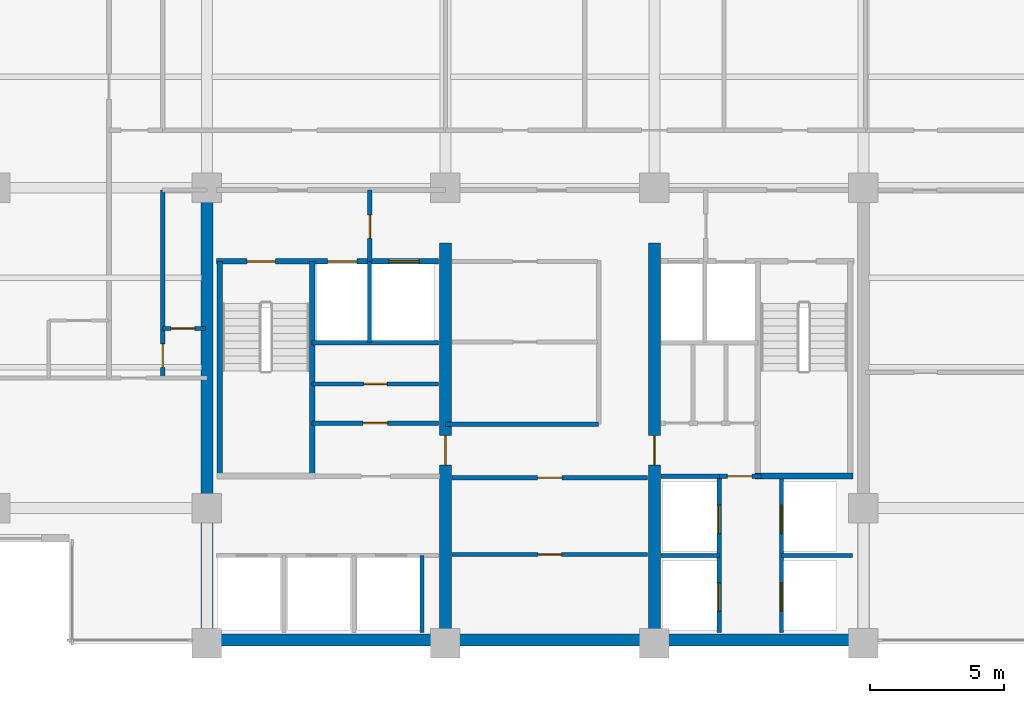
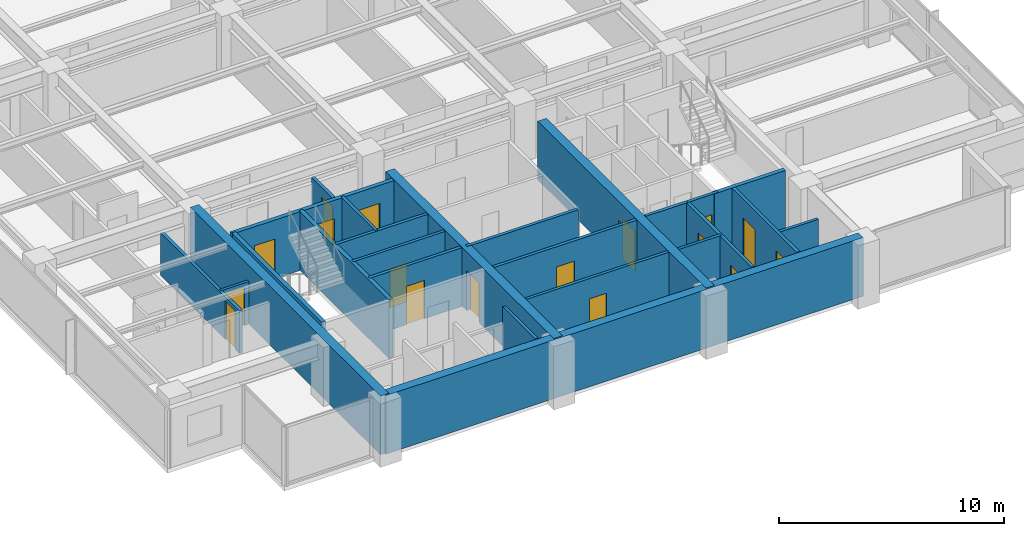
# One storey, part 7 of 14: 25 walls, 17 doors, 17 openings.
"""IFC4 building model written with IfcOpenShell, lengths in metres."""

from ifc_helpers import new_model, si_unit, direction, frame, frame_2d, origin, place, context, subcontext, project, spatial, rectangle, extrude, material, layer, layer_set, type_object, element, fill, save


model = new_model("IFC4")

# Units and contexts
model_context = context("Model", 3, precision=1e-05, world=origin(), true_north=direction((0.0, 1.0)))
body_context = subcontext(model_context, "Body", "Model", "MODEL_VIEW")
ifc_project = project(units=[si_unit("LENGTHUNIT", "METRE"), si_unit("AREAUNIT", "SQUARE_METRE"), si_unit("VOLUMEUNIT", "CUBIC_METRE"), si_unit("PLANEANGLEUNIT", "RADIAN"), si_unit("MASSUNIT", "GRAM", prefix="KILO")], contexts=[model_context])

# Site, building, storey
site_placement = place(None, origin())
site = spatial("IfcSite", under=ifc_project, at=site_placement, CompositionType="ELEMENT")
building_placement = place(site_placement, origin())
building = spatial("IfcBuilding", under=site, at=building_placement, Name="Qalmaran Belvedere Hotel", CompositionType="ELEMENT")
storey_placement = place(building_placement, frame((0.0, 0.0, 180.60009765625)))
storey = spatial("IfcBuildingStorey", under=building, at=storey_placement, Name="L46", CompositionType="ELEMENT", Elevation=180.60009765625)

# Wall
ifc_material_1 = material(Name="Concrete C50/60", Category="concrete")
ifc_layer_1 = layer(ifc_material_1, 0.449951171875, Name="Concrete C50/60")
ifc_layer_set_1 = layer_set([ifc_layer_1], Name="Concrete C50/60")
wall_type_1 = type_object("IfcWallType", Name="WL-CORE-450-C50", PredefinedType="SHEAR", material=ifc_layer_set_1)
wall_1_placement = place(storey_placement, frame((20.300048828125, 3.5, 0.0), z_axis=(0.0, 0.0, 1.0), x_axis=(0.0, 1.0, 0.0)))
element("IfcWall", 1, at=wall_1_placement, inside=storey, type_object=wall_type_1, Name="L46 West Core Shear Wall", PredefinedType="SHEAR", context=body_context, shape_type="SweptSolid", body=[
    extrude(rectangle(XDim=16.89990234375, YDim=0.449951171875, at=frame_2d((8.449951171875, 0.0))), origin(), (0.0, 0.0, 1.0), 3.179931640625),
])

# Wall, opening, door
wall_2_placement = place(storey_placement, frame((29.199951171875, 3.5, 0.0), z_axis=(0.0, 0.0, 1.0), x_axis=(0.0, 1.0, 0.0)))
wall_2 = element("IfcWall", 2, at=wall_2_placement, inside=storey, type_object=wall_type_1, Name="L46 Core West Spine Shear Wall", PredefinedType="SHEAR", context=body_context, shape_type="SweptSolid", body=[
    extrude(rectangle(XDim=14.949951171875, YDim=0.449951171875, at=frame_2d((7.47509765625, 0.0))), origin(), (0.0, 0.0, 1.0), 3.179931640625),
])
opening_1_placement = place(wall_2_placement, frame((7.75, 0.0, 0.0), z_axis=(0.0, 0.0, 1.0), x_axis=(-1.0, 0.0, 0.0)))
opening_1 = element("IfcOpeningElement", 3, at=opening_1_placement, cuts=wall_2, Name="Opening FD90", PredefinedType="OPENING", context=body_context, shape_type="SweptSolid", body=[
    extrude(rectangle(XDim=1.10009765625, YDim=2.14990234375, at=frame_2d((0.550048828125, 1.074951171875))), frame((0.0, 0.23486328125, 0.0), z_axis=(0.0, -1.0, 0.0), x_axis=(1.0, 0.0, 0.0)), (0.0, 0.0, 1.0), 0.469970703125),
])
ifc_material_2 = material(Name="Steel S355JR", Category="steel")
door_type_1 = type_object("IfcDoorType", Name="DR-FD90-1100X2150", OperationType="NOTDEFINED", PredefinedType="DOOR", material=ifc_material_2)
door_1_placement = place(opening_1_placement, origin())
door_1 = element("IfcDoor", 4, at=door_1_placement, inside=storey, type_object=door_type_1, Name="L46 Core West Cross-Lobby Door", OperationType="SINGLE_SWING_LEFT", OverallHeight=2.14990234375, OverallWidth=1.10009765625, PredefinedType="DOOR", context=body_context, shape_type="SweptSolid", body=[
    extrude(rectangle(XDim=1.10009765625, YDim=2.14990234375, at=frame_2d((0.550048828125, 1.074951171875))), frame((0.0, 0.02490234375, 0.0), z_axis=(0.0, -1.0, 0.0), x_axis=(1.0, 0.0, 0.0)), (0.0, 0.0, 1.0), 0.050048828125),
])
fill(opening_1, door_1)

wall_3_placement = place(storey_placement, frame((37.0, 3.5, 0.0), z_axis=(0.0, 0.0, 1.0), x_axis=(0.0, 1.0, 0.0)))
wall_3 = element("IfcWall", 5, at=wall_3_placement, inside=storey, type_object=wall_type_1, Name="L46 Core East Spine Shear Wall", PredefinedType="SHEAR", context=body_context, shape_type="SweptSolid", body=[
    extrude(rectangle(XDim=14.949951171875, YDim=0.449951171875, at=frame_2d((7.47509765625, 0.0))), origin(), (0.0, 0.0, 1.0), 3.179931640625),
])
opening_2_placement = place(wall_3_placement, frame((6.64990234375, 0.0, 0.0)))
opening_2 = element("IfcOpeningElement", 6, at=opening_2_placement, cuts=wall_3, Name="Opening FD90", PredefinedType="OPENING", context=body_context, shape_type="SweptSolid", body=[
    extrude(rectangle(XDim=1.10009765625, YDim=2.14990234375, at=frame_2d((0.550048828125, 1.074951171875))), frame((0.0, 0.23486328125, 0.0), z_axis=(0.0, -1.0, 0.0), x_axis=(1.0, 0.0, 0.0)), (0.0, 0.0, 1.0), 0.469970703125),
])
door_2_placement = place(opening_2_placement, origin())
door_2 = element("IfcDoor", 7, at=door_2_placement, inside=storey, type_object=door_type_1, Name="L46 Core East Cross-Lobby Door", OperationType="SINGLE_SWING_RIGHT", OverallHeight=2.14990234375, OverallWidth=1.10009765625, PredefinedType="DOOR", context=body_context, shape_type="SweptSolid", body=[
    extrude(rectangle(XDim=1.10009765625, YDim=2.14990234375, at=frame_2d((0.550048828125, 1.074951171875))), frame((0.0, 0.02490234375, 0.0), z_axis=(0.0, -1.0, 0.0), x_axis=(1.0, 0.0, 0.0)), (0.0, 0.0, 1.0), 0.050048828125),
])
fill(opening_2, door_2)

# Wall
ifc_layer_2 = layer(ifc_material_1, 0.43994140625, Name="Concrete C50/60")
ifc_layer_set_2 = layer_set([ifc_layer_2], Name="Concrete C50/60")
wall_type_2 = type_object("IfcWallType", Name="WL-CORES-440-EXT", PredefinedType="SHEAR", material=ifc_layer_set_2)
wall_4_placement = place(storey_placement, frame((20.300048828125, 3.6298828125, 0.0), z_axis=(0.0, 0.0, 1.0), x_axis=(1.0, 0.0, 0.0)))
element("IfcWall", 8, at=wall_4_placement, inside=storey, type_object=wall_type_2, Name="L46 South Core Shear Wall", PredefinedType="SHEAR", context=body_context, shape_type="SweptSolid", body=[
    extrude(rectangle(XDim=24.5, YDim=0.43994140625, at=frame_2d((12.25, 0.0))), origin(), (0.0, 0.0, 1.0), 3.179931640625),
])

# Wall, opening, door
ifc_material_3 = material(Name="Gypsum Stud Partition")
ifc_layer_3 = layer(ifc_material_3, 0.139892578125, Name="Gypsum Stud Partition")
ifc_layer_set_3 = layer_set([ifc_layer_3], Name="Gypsum Stud Partition")
wall_type_3 = type_object("IfcWallType", Name="WL-INT-140-NR", PredefinedType="PARTITIONING", material=ifc_layer_set_3)
wall_5_placement = place(storey_placement, frame((18.64990234375, 15.25, 0.0), z_axis=(0.0, 0.0, 1.0), x_axis=(1.0, 0.0, 0.0)))
wall_5 = element("IfcWall", 9, at=wall_5_placement, inside=storey, type_object=wall_type_3, Name="L46 Partition WL-L46-WCLSUB", PredefinedType="PARTITIONING", context=body_context, shape_type="SweptSolid", body=[
    extrude(rectangle(XDim=1.60009765625, YDim=0.139892578125, at=frame_2d((0.800048828125, 0.0))), origin(), (0.0, 0.0, 1.0), 2.309814453125),
])
opening_3_placement = place(wall_5_placement, frame((1.193115234375, 0.0, 0.0), z_axis=(0.0, 0.0, 1.0), x_axis=(-1.0, 0.0, 0.0)))
opening_3 = element("IfcOpeningElement", 10, at=opening_3_placement, cuts=wall_5, Name="Opening D-BATH", PredefinedType="OPENING", context=body_context, shape_type="SweptSolid", body=[
    extrude(rectangle(XDim=0.8798828125, YDim=2.080078125, at=frame_2d((0.43994140625, 1.0400390625))), frame((0.0, 0.080078125, 0.0), z_axis=(0.0, -1.0, 0.0), x_axis=(1.0, 0.0, 0.0)), (0.0, 0.0, 1.0), 0.159912109375),
])
ifc_material_4 = material(Name="Engineered Oak Veneer")
door_type_2 = type_object("IfcDoorType", Name="DR-INT-BATH-880X2080", OperationType="NOTDEFINED", PredefinedType="DOOR", material=ifc_material_4)
door_3_placement = place(opening_3_placement, origin())
door_3 = element("IfcDoor", 11, at=door_3_placement, inside=storey, type_object=door_type_2, Name="L46 Closet Alcove Door", OperationType="SINGLE_SWING_LEFT", OverallHeight=2.080078125, OverallWidth=0.8798828125, PredefinedType="DOOR", context=body_context, shape_type="SweptSolid", body=[
    extrude(rectangle(XDim=0.8798828125, YDim=2.080078125, at=frame_2d((0.43994140625, 1.0400390625))), frame((0.0, 0.02490234375, 0.0), z_axis=(0.0, -1.0, 0.0), x_axis=(1.0, 0.0, 0.0)), (0.0, 0.0, 1.0), 0.050048828125),
])
fill(opening_3, door_3)

# Walls
ifc_layer_4 = layer(ifc_material_3, 0.14990234375, Name="Gypsum Stud Partition")
ifc_layer_set_4 = layer_set([ifc_layer_4], Name="Gypsum Stud Partition")
wall_type_4 = type_object("IfcWallType", Name="WL-INT-150-EI120", PredefinedType="PARTITIONING", material=ifc_layer_set_4)
wall_6_placement = place(storey_placement, frame((26.360107421875, 14.719970703125, 0.0), z_axis=(0.0, 0.0, 1.0), x_axis=(0.0, 1.0, 0.0)))
element("IfcWall", 12, at=wall_6_placement, inside=storey, type_object=wall_type_4, Name="L46 Partition WL-FF1M-L46", PredefinedType="PARTITIONING", context=body_context, shape_type="SweptSolid", body=[
    extrude(rectangle(XDim=3.0400390625, YDim=0.14990234375, at=frame_2d((1.52001953125, 0.0))), origin(), (0.0, 0.0, 1.0), 3.179931640625),
])
wall_7_placement = place(storey_placement, frame((28.320068359375, 3.89990234375, 0.0), z_axis=(0.0, 0.0, 1.0), x_axis=(0.0, 1.0, 0.0)))
element("IfcWall", 13, at=wall_7_placement, inside=storey, type_object=wall_type_4, Name="L46 Partition WL-POM3-L46", PredefinedType="PARTITIONING", context=body_context, shape_type="SweptSolid", body=[
    extrude(rectangle(XDim=2.880126953125, YDim=0.14990234375, at=frame_2d((1.43994140625, 0.0))), origin(), (0.0, 0.0, 1.0), 3.179931640625),
])
wall_8_placement = place(storey_placement, frame((37.25, 6.780029296875, 0.0), z_axis=(0.0, 0.0, 1.0), x_axis=(1.0, 0.0, 0.0)))
element("IfcWall", 14, at=wall_8_placement, inside=storey, type_object=wall_type_4, Name="L46 Partition WL-PHMW-L46", PredefinedType="PARTITIONING", context=body_context, shape_type="SweptSolid", body=[
    extrude(rectangle(XDim=2.169921875, YDim=0.14990234375, at=frame_2d((1.0849609375, 0.0))), origin(), (0.0, 0.0, 1.0), 3.179931640625),
])
wall_9_placement = place(storey_placement, frame((41.739990234375, 6.780029296875, 0.0), z_axis=(0.0, 0.0, 1.0), x_axis=(1.0, 0.0, 0.0)))
element("IfcWall", 15, at=wall_9_placement, inside=storey, type_object=wall_type_4, Name="L46 Partition WL-PHME-L46", PredefinedType="PARTITIONING", context=body_context, shape_type="SweptSolid", body=[
    extrude(rectangle(XDim=2.659912109375, YDim=0.14990234375, at=frame_2d((1.330078125, 0.0))), origin(), (0.0, 0.0, 1.0), 2.309814453125),
])

# Wall, opening, door
ifc_layer_5 = layer(ifc_material_3, 0.14990234375, Name="Gypsum Stud Partition")
ifc_layer_set_5 = layer_set([ifc_layer_5], Name="Gypsum Stud Partition")
wall_type_5 = type_object("IfcWallType", Name="WL-INT-150-EI60", PredefinedType="PARTITIONING", material=ifc_layer_set_5)
wall_10_placement = place(storey_placement, frame((24.219970703125, 13.18505859375, 0.0), z_axis=(0.0, 0.0, 1.0), x_axis=(1.0, 0.0, 0.0)))
wall_10 = element("IfcWall", 16, at=wall_10_placement, inside=storey, type_object=wall_type_5, Name="L46 Partition WL-L46-KWHM", PredefinedType="PARTITIONING", context=body_context, shape_type="SweptSolid", body=[
    extrude(rectangle(XDim=4.72998046875, YDim=0.14990234375, at=frame_2d((2.364990234375, 0.0))), origin(), (0.0, 0.0, 1.0), 3.179931640625),
])
opening_4_placement = place(wall_10_placement, frame((1.925048828125, 0.0, 0.0)))
opening_4 = element("IfcOpeningElement", 17, at=opening_4_placement, cuts=wall_10, Name="Opening FD60B", PredefinedType="OPENING", context=body_context, shape_type="SweptSolid", body=[
    extrude(rectangle(XDim=0.8798828125, YDim=2.080078125, at=frame_2d((0.43994140625, 1.0400390625))), frame((0.0, 0.0849609375, 0.0), z_axis=(0.0, -1.0, 0.0), x_axis=(1.0, 0.0, 0.0)), (0.0, 0.0, 1.0), 0.169921875),
])
door_type_3 = type_object("IfcDoorType", Name="DR-FD60B-880X2080", OperationType="NOTDEFINED", PredefinedType="DOOR", material=ifc_material_2)
door_4_placement = place(opening_4_placement, origin())
door_4 = element("IfcDoor", 18, at=door_4_placement, inside=storey, type_object=door_type_3, Name="L46 Staff Core WC Door", OperationType="SINGLE_SWING_LEFT", OverallHeight=2.080078125, OverallWidth=0.8798828125, PredefinedType="DOOR", context=body_context, shape_type="SweptSolid", body=[
    extrude(rectangle(XDim=0.8798828125, YDim=2.080078125, at=frame_2d((0.43994140625, 1.0400390625))), frame((0.0, 0.02490234375, 0.0), z_axis=(0.0, -1.0, 0.0), x_axis=(1.0, 0.0, 0.0)), (0.0, 0.0, 1.0), 0.050048828125),
])
fill(opening_4, door_4)

wall_11_placement = place(storey_placement, frame((29.449951171875, 6.81494140625, 0.0), z_axis=(0.0, 0.0, 1.0), x_axis=(1.0, 0.0, 0.0)))
wall_11 = element("IfcWall", 19, at=wall_11_placement, inside=storey, type_object=wall_type_5, Name="L46 Partition WL-L46-KPLHM", PredefinedType="PARTITIONING", context=body_context, shape_type="SweptSolid", body=[
    extrude(rectangle(XDim=7.300048828125, YDim=0.14990234375, at=frame_2d((3.64990234375, 0.0))), origin(), (0.0, 0.0, 1.0), 3.179931640625),
])
opening_5_placement = place(wall_11_placement, frame((4.08984375, 0.0, 0.0), z_axis=(0.0, 0.0, 1.0), x_axis=(-1.0, 0.0, 0.0)))
opening_5 = element("IfcOpeningElement", 20, at=opening_5_placement, cuts=wall_11, Name="Opening FD60B", PredefinedType="OPENING", context=body_context, shape_type="SweptSolid", body=[
    extrude(rectangle(XDim=0.8798828125, YDim=2.080078125, at=frame_2d((0.43994140625, 1.0400390625))), frame((0.0, 0.0849609375, 0.0), z_axis=(0.0, -1.0, 0.0), x_axis=(1.0, 0.0, 0.0)), (0.0, 0.0, 1.0), 0.169921875),
])
door_5_placement = place(opening_5_placement, origin())
door_5 = element("IfcDoor", 21, at=door_5_placement, inside=storey, type_object=door_type_3, Name="L46 Housekeeping and Linen Room Door", OperationType="SINGLE_SWING_RIGHT", OverallHeight=2.080078125, OverallWidth=0.8798828125, PredefinedType="DOOR", context=body_context, shape_type="SweptSolid", body=[
    extrude(rectangle(XDim=0.8798828125, YDim=2.080078125, at=frame_2d((0.43994140625, 1.0400390625))), frame((0.0, 0.02490234375, 0.0), z_axis=(0.0, -1.0, 0.0), x_axis=(1.0, 0.0, 0.0)), (0.0, 0.0, 1.0), 0.050048828125),
])
fill(opening_5, door_5)

ifc_layer_6 = layer(ifc_material_3, 0.159912109375, Name="Gypsum Stud Partition")
ifc_layer_set_6 = layer_set([ifc_layer_6], Name="Gypsum Stud Partition")
wall_type_6 = type_object("IfcWallType", Name="WL-INT-160-EI120", PredefinedType="PARTITIONING", material=ifc_layer_set_6)
wall_12_placement = place(storey_placement, frame((26.3798828125, 17.760009765625, 0.0), z_axis=(0.0, 0.0, 1.0), x_axis=(0.0, 1.0, 0.0)))
wall_12 = element("IfcWall", 22, at=wall_12_placement, inside=storey, type_object=wall_type_6, Name="L46 Partition WL-FFSV1-L46", PredefinedType="PARTITIONING", context=body_context, shape_type="SweptSolid", body=[
    extrude(rectangle(XDim=2.659912109375, YDim=0.159912109375, at=frame_2d((1.330078125, 0.0))), origin(), (0.0, 0.0, 1.0), 2.621826171875),
])
opening_6_placement = place(wall_12_placement, frame((0.85009765625, 0.0, 0.0)))
opening_6 = element("IfcOpeningElement", 23, at=opening_6_placement, cuts=wall_12, Name="Opening FD60B", PredefinedType="OPENING", context=body_context, shape_type="SweptSolid", body=[
    extrude(rectangle(XDim=0.8798828125, YDim=2.080078125, at=frame_2d((0.43994140625, 1.0400390625))), frame((0.0, 0.08984375, 0.0), z_axis=(0.0, -1.0, 0.0), x_axis=(1.0, 0.0, 0.0)), (0.0, 0.0, 1.0), 0.179931640625),
])
door_6_placement = place(opening_6_placement, origin())
door_6 = element("IfcDoor", 24, at=door_6_placement, inside=storey, type_object=door_type_3, Name="L46 Service Lobby West Door", OperationType="SINGLE_SWING_LEFT", OverallHeight=2.080078125, OverallWidth=0.8798828125, PredefinedType="DOOR", context=body_context, shape_type="SweptSolid", body=[
    extrude(rectangle(XDim=0.8798828125, YDim=2.080078125, at=frame_2d((0.43994140625, 1.0400390625))), frame((0.0, 0.02490234375, 0.0), z_axis=(0.0, -1.0, 0.0), x_axis=(1.0, 0.0, 0.0)), (0.0, 0.0, 1.0), 0.050048828125),
])
fill(opening_6, door_6)

# Wall
wall_13_placement = place(storey_placement, frame((24.219970703125, 14.719970703125, 0.0), z_axis=(0.0, 0.0, 1.0), x_axis=(1.0, 0.0, 0.0)))
element("IfcWall", 25, at=wall_13_placement, inside=storey, type_object=wall_type_6, Name="L46 Partition WL-FF1S-L46", PredefinedType="PARTITIONING", context=body_context, shape_type="SweptSolid", body=[
    extrude(rectangle(XDim=4.72998046875, YDim=0.159912109375, at=frame_2d((2.364990234375, 0.0))), origin(), (0.0, 0.0, 1.0), 3.179931640625),
])

# Wall, openings, doors
wall_14_placement = place(storey_placement, frame((39.419921875, 3.89990234375, 0.0), z_axis=(0.0, 0.0, 1.0), x_axis=(0.0, 1.0, 0.0)))
wall_14 = element("IfcWall", 26, at=wall_14_placement, inside=storey, type_object=wall_type_6, Name="L46 Partition WL-PHW-L46", PredefinedType="PARTITIONING", context=body_context, shape_type="SweptSolid", body=[
    extrude(rectangle(XDim=5.840087890625, YDim=0.159912109375, at=frame_2d((2.919921875, 0.0))), origin(), (0.0, 0.0, 1.0), 3.179931640625),
])
opening_7_placement = place(wall_14_placement, frame((1.860107421875, 0.0, 0.0), z_axis=(0.0, 0.0, 1.0), x_axis=(-1.0, 0.0, 0.0)))
opening_7 = element("IfcOpeningElement", 27, at=opening_7_placement, cuts=wall_14, Name="Opening LD-P2", PredefinedType="OPENING", context=body_context, shape_type="SweptSolid", body=[
    extrude(rectangle(XDim=1.06005859375, YDim=2.159912109375, at=frame_2d((0.530029296875, 1.080078125))), frame((0.0, 0.08984375, 0.0), z_axis=(0.0, -1.0, 0.0), x_axis=(1.0, 0.0, 0.0)), (0.0, 0.0, 1.0), 0.179931640625),
])
opening_8_placement = place(wall_14_placement, frame((4.760009765625, 0.0, 0.0), z_axis=(0.0, 0.0, 1.0), x_axis=(-1.0, 0.0, 0.0)))
opening_8 = element("IfcOpeningElement", 28, at=opening_8_placement, cuts=wall_14, Name="Opening LD-P2", PredefinedType="OPENING", context=body_context, shape_type="SweptSolid", body=[
    extrude(rectangle(XDim=1.06005859375, YDim=2.159912109375, at=frame_2d((0.530029296875, 1.080078125))), frame((0.0, 0.08984375, 0.0), z_axis=(0.0, -1.0, 0.0), x_axis=(1.0, 0.0, 0.0)), (0.0, 0.0, 1.0), 0.179931640625),
])
ifc_material_5 = material(Name="Stainless Steel 1.4401", Category="steel")
door_type_4 = type_object("IfcDoorType", Name="DR-LIFT-P2-1060X2160", OperationType="DOUBLE_DOOR_SLIDING", PredefinedType="DOOR", material=ifc_material_5)
door_7_placement = place(opening_7_placement, origin())
door_7 = element("IfcDoor", 29, at=door_7_placement, inside=storey, type_object=door_type_4, Name="L46 PH1 Lift Landing Door", OperationType="DOUBLE_DOOR_SLIDING", OverallHeight=2.159912109375, OverallWidth=1.06005859375, PredefinedType="DOOR", context=body_context, shape_type="SweptSolid", body=[
    extrude(rectangle(XDim=1.06005859375, YDim=2.159912109375, at=frame_2d((0.530029296875, 1.080078125))), frame((0.0, 0.02490234375, 0.0), z_axis=(0.0, -1.0, 0.0), x_axis=(1.0, 0.0, 0.0)), (0.0, 0.0, 1.0), 0.050048828125),
])
fill(opening_7, door_7)
door_8_placement = place(opening_8_placement, origin())
door_8 = element("IfcDoor", 30, at=door_8_placement, inside=storey, type_object=door_type_4, Name="L46 PH2 Lift Landing Door", OperationType="DOUBLE_DOOR_SLIDING", OverallHeight=2.159912109375, OverallWidth=1.06005859375, PredefinedType="DOOR", context=body_context, shape_type="SweptSolid", body=[
    extrude(rectangle(XDim=1.06005859375, YDim=2.159912109375, at=frame_2d((0.530029296875, 1.080078125))), frame((0.0, 0.02490234375, 0.0), z_axis=(0.0, -1.0, 0.0), x_axis=(1.0, 0.0, 0.0)), (0.0, 0.0, 1.0), 0.050048828125),
])
fill(opening_8, door_8)

wall_15_placement = place(storey_placement, frame((41.739990234375, 3.89990234375, 0.0), z_axis=(0.0, 0.0, 1.0), x_axis=(0.0, 1.0, 0.0)))
wall_15 = element("IfcWall", 31, at=wall_15_placement, inside=storey, type_object=wall_type_6, Name="L46 Partition WL-PHE-L46", PredefinedType="PARTITIONING", context=body_context, shape_type="SweptSolid", body=[
    extrude(rectangle(XDim=5.840087890625, YDim=0.159912109375, at=frame_2d((2.919921875, 0.0))), origin(), (0.0, 0.0, 1.0), 3.179931640625),
])
opening_9_placement = place(wall_15_placement, frame((0.800048828125, 0.0, 0.0)))
opening_9 = element("IfcOpeningElement", 32, at=opening_9_placement, cuts=wall_15, Name="Opening LD-P2", PredefinedType="OPENING", context=body_context, shape_type="SweptSolid", body=[
    extrude(rectangle(XDim=1.06005859375, YDim=2.159912109375, at=frame_2d((0.530029296875, 1.080078125))), frame((0.0, 0.08984375, 0.0), z_axis=(0.0, -1.0, 0.0), x_axis=(1.0, 0.0, 0.0)), (0.0, 0.0, 1.0), 0.179931640625),
])
opening_10_placement = place(wall_15_placement, frame((3.699951171875, 0.0, 0.0)))
opening_10 = element("IfcOpeningElement", 33, at=opening_10_placement, cuts=wall_15, Name="Opening LD-P2", PredefinedType="OPENING", context=body_context, shape_type="SweptSolid", body=[
    extrude(rectangle(XDim=1.06005859375, YDim=2.159912109375, at=frame_2d((0.530029296875, 1.080078125))), frame((0.0, 0.08984375, 0.0), z_axis=(0.0, -1.0, 0.0), x_axis=(1.0, 0.0, 0.0)), (0.0, 0.0, 1.0), 0.179931640625),
])
door_9_placement = place(opening_9_placement, origin())
door_9 = element("IfcDoor", 34, at=door_9_placement, inside=storey, type_object=door_type_4, Name="L46 PH3 Lift Landing Door", OperationType="DOUBLE_DOOR_SLIDING", OverallHeight=2.159912109375, OverallWidth=1.06005859375, PredefinedType="DOOR", context=body_context, shape_type="SweptSolid", body=[
    extrude(rectangle(XDim=1.06005859375, YDim=2.159912109375, at=frame_2d((0.530029296875, 1.080078125))), frame((0.0, 0.02490234375, 0.0), z_axis=(0.0, -1.0, 0.0), x_axis=(1.0, 0.0, 0.0)), (0.0, 0.0, 1.0), 0.050048828125),
])
fill(opening_9, door_9)
door_10_placement = place(opening_10_placement, origin())
door_10 = element("IfcDoor", 35, at=door_10_placement, inside=storey, type_object=door_type_4, Name="L46 PH4 Lift Landing Door", OperationType="DOUBLE_DOOR_SLIDING", OverallHeight=2.159912109375, OverallWidth=1.06005859375, PredefinedType="DOOR", context=body_context, shape_type="SweptSolid", body=[
    extrude(rectangle(XDim=1.06005859375, YDim=2.159912109375, at=frame_2d((0.530029296875, 1.080078125))), frame((0.0, 0.02490234375, 0.0), z_axis=(0.0, -1.0, 0.0), x_axis=(1.0, 0.0, 0.0)), (0.0, 0.0, 1.0), 0.050048828125),
])
fill(opening_10, door_10)

# Wall
wall_16_placement = place(storey_placement, frame((37.25, 9.739990234375, 0.0), z_axis=(0.0, 0.0, 1.0), x_axis=(1.0, 0.0, 0.0)))
element("IfcWall", 36, at=wall_16_placement, inside=storey, type_object=wall_type_6, Name="L46 Partition WL-PHNW-L46", PredefinedType="PARTITIONING", context=body_context, shape_type="SweptSolid", body=[
    extrude(rectangle(XDim=2.169921875, YDim=0.159912109375, at=frame_2d((1.0849609375, 0.0))), origin(), (0.0, 0.0, 1.0), 3.179931640625),
])

# Wall, opening, door
wall_17_placement = place(storey_placement, frame((39.419921875, 9.739990234375, 0.0), z_axis=(0.0, 0.0, 1.0), x_axis=(1.0, 0.0, 0.0)))
wall_17 = element("IfcWall", 37, at=wall_17_placement, inside=storey, type_object=wall_type_6, Name="L46 Partition WL-PHNL-L46", PredefinedType="PARTITIONING", context=body_context, shape_type="SweptSolid", body=[
    extrude(rectangle(XDim=1.56005859375, YDim=0.159912109375, at=frame_2d((0.780029296875, 0.0))), origin(), (0.0, 0.0, 1.0), 3.179931640625),
])
opening_11_placement = place(wall_17_placement, frame((0.300048828125, 0.0, 0.0)))
opening_11 = element("IfcOpeningElement", 38, at=opening_11_placement, cuts=wall_17, Name="Opening FD60S1", PredefinedType="OPENING", context=body_context, shape_type="SweptSolid", body=[
    extrude(rectangle(XDim=0.919921875, YDim=2.080078125, at=frame_2d((0.4599609375, 1.0400390625))), frame((0.0, 0.08984375, 0.0), z_axis=(0.0, -1.0, 0.0), x_axis=(1.0, 0.0, 0.0)), (0.0, 0.0, 1.0), 0.179931640625),
])
door_type_5 = type_object("IfcDoorType", Name="DR-FD60S-920X2080", OperationType="NOTDEFINED", PredefinedType="DOOR", material=ifc_material_4)
door_11_placement = place(opening_11_placement, origin())
door_11 = element("IfcDoor", 39, at=door_11_placement, inside=storey, type_object=door_type_5, Name="L46 High-Rise Lift Lobby Passage Door", OperationType="SINGLE_SWING_RIGHT", OverallHeight=2.080078125, OverallWidth=0.919921875, PredefinedType="DOOR", context=body_context, shape_type="SweptSolid", body=[
    extrude(rectangle(XDim=0.919921875, YDim=2.080078125, at=frame_2d((0.4599609375, 1.0400390625))), frame((0.0, 0.02490234375, 0.0), z_axis=(0.0, -1.0, 0.0), x_axis=(1.0, 0.0, 0.0)), (0.0, 0.0, 1.0), 0.050048828125),
])
fill(opening_11, door_11)

ifc_layer_7 = layer(ifc_material_3, 0.159912109375, Name="Gypsum Stud Partition")
ifc_layer_set_7 = layer_set([ifc_layer_7], Name="Gypsum Stud Partition")
wall_type_7 = type_object("IfcWallType", Name="WL-INT-160-EI60", PredefinedType="PARTITIONING", material=ifc_layer_set_7)
wall_18_placement = place(storey_placement, frame((24.219970703125, 11.719970703125, 0.0), z_axis=(0.0, 0.0, 1.0), x_axis=(1.0, 0.0, 0.0)))
wall_18 = element("IfcWall", 40, at=wall_18_placement, inside=storey, type_object=wall_type_7, Name="L46 Partition WL-L46-KWE1", PredefinedType="PARTITIONING", context=body_context, shape_type="SweptSolid", body=[
    extrude(rectangle(XDim=4.72998046875, YDim=0.159912109375, at=frame_2d((2.364990234375, 0.0))), origin(), (0.0, 0.0, 1.0), 3.179931640625),
])
opening_12_placement = place(wall_18_placement, frame((1.905029296875, 0.0, 0.0)))
opening_12 = element("IfcOpeningElement", 41, at=opening_12_placement, cuts=wall_18, Name="Opening FD60S1", PredefinedType="OPENING", context=body_context, shape_type="SweptSolid", body=[
    extrude(rectangle(XDim=0.919921875, YDim=2.080078125, at=frame_2d((0.4599609375, 1.0400390625))), frame((0.0, 0.08984375, 0.0), z_axis=(0.0, -1.0, 0.0), x_axis=(1.0, 0.0, 0.0)), (0.0, 0.0, 1.0), 0.179931640625),
])
door_12_placement = place(opening_12_placement, origin())
door_12 = element("IfcDoor", 42, at=door_12_placement, inside=storey, type_object=door_type_5, Name="L46 Cleaner Supply Store Door", OperationType="SINGLE_SWING_RIGHT", OverallHeight=2.080078125, OverallWidth=0.919921875, PredefinedType="DOOR", context=body_context, shape_type="SweptSolid", body=[
    extrude(rectangle(XDim=0.919921875, YDim=2.080078125, at=frame_2d((0.4599609375, 1.0400390625))), frame((0.0, 0.02490234375, 0.0), z_axis=(0.0, -1.0, 0.0), x_axis=(1.0, 0.0, 0.0)), (0.0, 0.0, 1.0), 0.050048828125),
])
fill(opening_12, door_12)

wall_19_placement = place(storey_placement, frame((29.449951171875, 9.679931640625, 0.0), z_axis=(0.0, 0.0, 1.0), x_axis=(1.0, 0.0, 0.0)))
wall_19 = element("IfcWall", 43, at=wall_19_placement, inside=storey, type_object=wall_type_7, Name="L46 Partition WL-L46-KPLE1", PredefinedType="PARTITIONING", context=body_context, shape_type="SweptSolid", body=[
    extrude(rectangle(XDim=7.300048828125, YDim=0.159912109375, at=frame_2d((3.64990234375, 0.0))), origin(), (0.0, 0.0, 1.0), 3.179931640625),
])
opening_13_placement = place(wall_19_placement, frame((4.10986328125, 0.0, 0.0), z_axis=(0.0, 0.0, 1.0), x_axis=(-1.0, 0.0, 0.0)))
opening_13 = element("IfcOpeningElement", 44, at=opening_13_placement, cuts=wall_19, Name="Opening FD60S1", PredefinedType="OPENING", context=body_context, shape_type="SweptSolid", body=[
    extrude(rectangle(XDim=0.919921875, YDim=2.080078125, at=frame_2d((0.4599609375, 1.0400390625))), frame((0.0, 0.08984375, 0.0), z_axis=(0.0, -1.0, 0.0), x_axis=(1.0, 0.0, 0.0)), (0.0, 0.0, 1.0), 0.179931640625),
])
door_13_placement = place(opening_13_placement, origin())
door_13 = element("IfcDoor", 45, at=door_13_placement, inside=storey, type_object=door_type_5, Name="L46 Guest Valet Supply Store Door", OperationType="SINGLE_SWING_LEFT", OverallHeight=2.080078125, OverallWidth=0.919921875, PredefinedType="DOOR", context=body_context, shape_type="SweptSolid", body=[
    extrude(rectangle(XDim=0.919921875, YDim=2.080078125, at=frame_2d((0.4599609375, 1.0400390625))), frame((0.0, 0.02490234375, 0.0), z_axis=(0.0, -1.0, 0.0), x_axis=(1.0, 0.0, 0.0)), (0.0, 0.0, 1.0), 0.050048828125),
])
fill(opening_13, door_13)

# Wall
wall_20_placement = place(storey_placement, frame((29.199951171875, 11.679931640625, 0.0), z_axis=(0.0, 0.0, 1.0), x_axis=(1.0, 0.0, 0.0)))
element("IfcWall", 46, at=wall_20_placement, inside=storey, type_object=wall_type_7, Name="L46 Partition WL-PMFS-L46", PredefinedType="PARTITIONING", context=body_context, shape_type="SweptSolid", body=[
    extrude(rectangle(XDim=5.719970703125, YDim=0.159912109375, at=frame_2d((2.85986328125, 0.0))), origin(), (0.0, 0.0, 1.0), 3.179931640625),
])

# Wall, opening, door
wall_21_placement = place(storey_placement, frame((18.64990234375, 13.39990234375, 0.0), z_axis=(0.0, 0.0, 1.0), x_axis=(0.0, 1.0, 0.0)))
wall_21 = element("IfcWall", 47, at=wall_21_placement, inside=storey, type_object=wall_type_7, Name="L46 Partition WL-L46-WCL", PredefinedType="PARTITIONING", context=body_context, shape_type="SweptSolid", body=[
    extrude(rectangle(XDim=7.02001953125, YDim=0.159912109375, at=frame_2d((3.510009765625, 0.0))), origin(), (0.0, 0.0, 1.0), 2.309814453125),
])
opening_14_placement = place(wall_21_placement, frame((1.27978515625, 0.0, 0.0), z_axis=(0.0, 0.0, 1.0), x_axis=(-1.0, 0.0, 0.0)))
opening_14 = element("IfcOpeningElement", 48, at=opening_14_placement, cuts=wall_21, Name="Opening FD60B", PredefinedType="OPENING", context=body_context, shape_type="SweptSolid", body=[
    extrude(rectangle(XDim=0.8798828125, YDim=2.080078125, at=frame_2d((0.43994140625, 1.0400390625))), frame((0.0, 0.08984375, 0.0), z_axis=(0.0, -1.0, 0.0), x_axis=(1.0, 0.0, 0.0)), (0.0, 0.0, 1.0), 0.179931640625),
])
door_14_placement = place(opening_14_placement, origin())
door_14 = element("IfcDoor", 49, at=door_14_placement, inside=storey, type_object=door_type_3, Name="L46 West Closet Door", OperationType="SINGLE_SWING_LEFT", OverallHeight=2.080078125, OverallWidth=0.8798828125, PredefinedType="DOOR", context=body_context, shape_type="SweptSolid", body=[
    extrude(rectangle(XDim=0.8798828125, YDim=2.080078125, at=frame_2d((0.43994140625, 1.0400390625))), frame((0.0, 0.02490234375, 0.0), z_axis=(0.0, -1.0, 0.0), x_axis=(1.0, 0.0, 0.0)), (0.0, 0.0, 1.0), 0.050048828125),
])
fill(opening_14, door_14)

# Walls
ifc_layer_8 = layer(ifc_material_1, 0.2099609375, Name="Concrete C50/60")
ifc_layer_set_8 = layer_set([ifc_layer_8], Name="Concrete C50/60")
wall_type_8 = type_object("IfcWallType", Name="WL-STAIR-210-C50", PredefinedType="SHEAR", material=ifc_layer_set_8)
for number, where, z_axis, x_axis, name in (
    (50, (20.77490234375, 9.7451171875, 0.0), (0.0, 0.0, 1.0), (0.0, 1.0, 0.0), "L46 Stair ST-1 West Bearing Wall"),
    (51, (24.22509765625, 9.7451171875, 0.0), (0.0, 0.0, 1.0), (0.0, 1.0, 0.0), "L46 Stair ST-1 East Bearing Wall"),
):
    element("IfcWall", number, at=place(storey_placement, frame(where, z_axis=z_axis, x_axis=x_axis)), inside=storey, type_object=wall_type_8, Name=name, PredefinedType="SHEAR", context=body_context, shape_type="SweptSolid", body=[
        extrude(rectangle(XDim=8.009765625, YDim=0.2099609375, at=frame_2d((4.0048828125, 0.0))), origin(), (0.0, 0.0, 1.0), 3.179931640625),
    ])

# Wall, openings, doors
wall_22_placement = place(storey_placement, frame((20.64990234375, 17.7548828125, 0.0), z_axis=(0.0, 0.0, 1.0), x_axis=(1.0, 0.0, 0.0)))
wall_22 = element("IfcWall", 52, at=wall_22_placement, inside=storey, type_object=wall_type_8, Name="L46 West Lobby and Stair ST-1 North Bearing Wall", PredefinedType="SHEAR", context=body_context, shape_type="SweptSolid", body=[
    extrude(rectangle(XDim=8.300048828125, YDim=0.2099609375, at=frame_2d((4.14990234375, 0.0))), origin(), (0.0, 0.0, 1.0), 3.179931640625),
])
opening_15_placement = place(wall_22_placement, frame((2.199951171875, 0.0, 0.0), z_axis=(0.0, 0.0, 1.0), x_axis=(-1.0, 0.0, 0.0)))
opening_15 = element("IfcOpeningElement", 53, at=opening_15_placement, cuts=wall_22, Name="Opening FD90S2", PredefinedType="OPENING", context=body_context, shape_type="SweptSolid", body=[
    extrude(rectangle(XDim=1.050048828125, YDim=2.14990234375, at=frame_2d((0.52490234375, 1.074951171875))), frame((0.0, 0.114990234375, 0.0), z_axis=(0.0, -1.0, 0.0), x_axis=(1.0, 0.0, 0.0)), (0.0, 0.0, 1.0), 0.22998046875),
])
opening_16_placement = place(wall_22_placement, frame((4.14990234375, 0.0, 0.0)))
opening_16 = element("IfcOpeningElement", 54, at=opening_16_placement, cuts=wall_22, Name="Opening LD-FF", PredefinedType="OPENING", context=body_context, shape_type="SweptSolid", body=[
    extrude(rectangle(XDim=1.10009765625, YDim=2.179931640625, at=frame_2d((0.550048828125, 1.08984375))), frame((0.0, 0.114990234375, 0.0), z_axis=(0.0, -1.0, 0.0), x_axis=(1.0, 0.0, 0.0)), (0.0, 0.0, 1.0), 0.22998046875),
])
opening_17_placement = place(wall_22_placement, frame((6.449951171875, 0.0, 0.0)))
opening_17 = element("IfcOpeningElement", 55, at=opening_17_placement, cuts=wall_22, Name="Opening LD-SV", PredefinedType="OPENING", context=body_context, shape_type="SweptSolid", body=[
    extrude(rectangle(XDim=1.1201171875, YDim=2.199951171875, at=frame_2d((0.56005859375, 1.10009765625))), frame((0.0, 0.114990234375, 0.0), z_axis=(0.0, -1.0, 0.0), x_axis=(1.0, 0.0, 0.0)), (0.0, 0.0, 1.0), 0.22998046875),
])
door_type_6 = type_object("IfcDoorType", Name="DR-FD90S-1050X2150", OperationType="NOTDEFINED", PredefinedType="DOOR", material=ifc_material_2)
door_15_placement = place(opening_15_placement, origin())
door_15 = element("IfcDoor", 56, at=door_15_placement, inside=storey, type_object=door_type_6, Name="L46 Stair ST-1 Door", OperationType="SINGLE_SWING_LEFT", OverallHeight=2.14990234375, OverallWidth=1.050048828125, PredefinedType="DOOR", context=body_context, shape_type="SweptSolid", body=[
    extrude(rectangle(XDim=1.050048828125, YDim=2.14990234375, at=frame_2d((0.52490234375, 1.074951171875))), frame((0.0, 0.02490234375, 0.0), z_axis=(0.0, -1.0, 0.0), x_axis=(1.0, 0.0, 0.0)), (0.0, 0.0, 1.0), 0.050048828125),
])
fill(opening_15, door_15)
door_type_7 = type_object("IfcDoorType", Name="DR-LIFT-FF-1100X2180", OperationType="DOUBLE_DOOR_SLIDING", PredefinedType="DOOR", material=ifc_material_5)
door_16_placement = place(opening_16_placement, origin())
door_16 = element("IfcDoor", 57, at=door_16_placement, inside=storey, type_object=door_type_7, Name="L46 FF1 Lift Landing Door", OperationType="DOUBLE_DOOR_SLIDING", OverallHeight=2.179931640625, OverallWidth=1.10009765625, PredefinedType="DOOR", context=body_context, shape_type="SweptSolid", body=[
    extrude(rectangle(XDim=1.10009765625, YDim=2.179931640625, at=frame_2d((0.550048828125, 1.08984375))), frame((0.0, 0.02490234375, 0.0), z_axis=(0.0, -1.0, 0.0), x_axis=(1.0, 0.0, 0.0)), (0.0, 0.0, 1.0), 0.050048828125),
])
fill(opening_16, door_16)
door_type_8 = type_object("IfcDoorType", Name="DR-LIFT-SV-1120X2200", OperationType="DOUBLE_DOOR_SLIDING", PredefinedType="DOOR", material=ifc_material_5)
door_17_placement = place(opening_17_placement, origin())
door_17 = element("IfcDoor", 58, at=door_17_placement, inside=storey, type_object=door_type_8, Name="L46 SV1 Lift Landing Door", OperationType="DOUBLE_DOOR_SLIDING", OverallHeight=2.199951171875, OverallWidth=1.1201171875, PredefinedType="DOOR", context=body_context, shape_type="SweptSolid", body=[
    extrude(rectangle(XDim=1.1201171875, YDim=2.199951171875, at=frame_2d((0.56005859375, 1.10009765625))), frame((0.0, 0.02490234375, 0.0), z_axis=(0.0, -1.0, 0.0), x_axis=(1.0, 0.0, 0.0)), (0.0, 0.0, 1.0), 0.050048828125),
])
fill(opening_17, door_17)

# Wall
wall_23_placement = place(storey_placement, frame((40.75, 9.7451171875, 0.0), z_axis=(0.0, 0.0, 1.0), x_axis=(1.0, 0.0, 0.0)))
element("IfcWall", 59, at=wall_23_placement, inside=storey, type_object=wall_type_8, Name="L46 Stair ST-2 South Bearing Wall", PredefinedType="SHEAR", context=body_context, shape_type="SweptSolid", body=[
    extrude(rectangle(XDim=3.659912109375, YDim=0.2099609375, at=frame_2d((1.830078125, 0.0))), origin(), (0.0, 0.0, 1.0), 3.179931640625),
])

save(model, "model.ifc")
